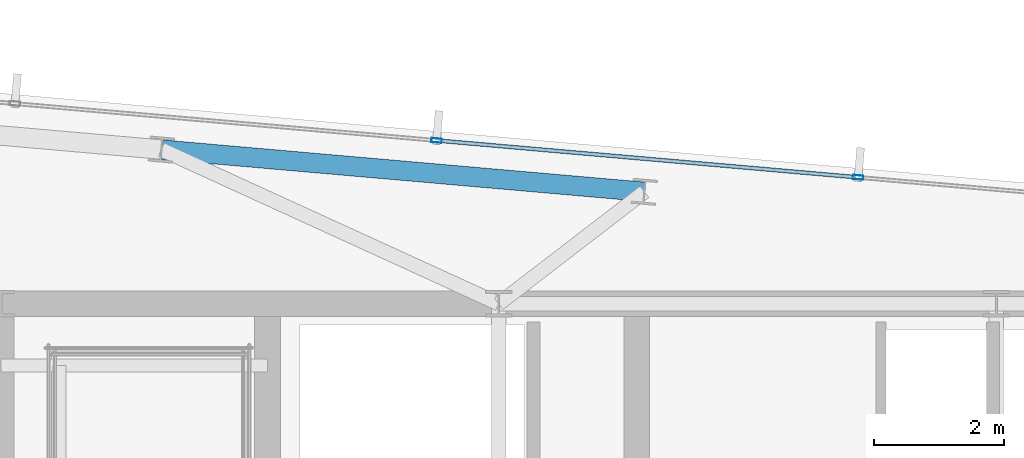
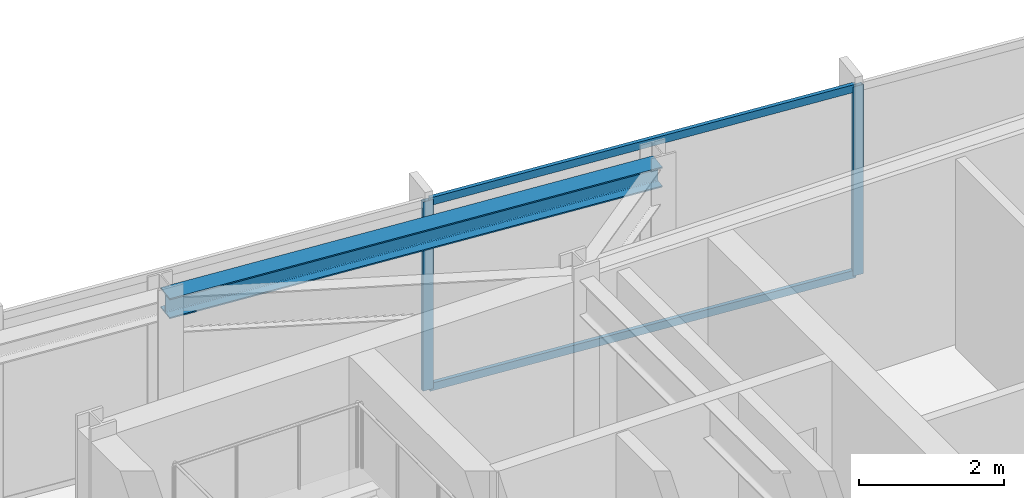
# One storey, part 25 of 32: 4 members, 1 beam, 1 element without a shape of its own.
"""IFC4 building model written with IfcOpenShell, lengths in metres."""

import ifcopenshell
import ifcopenshell.guid

model = None  # the IFC model being written
_history = None  # IfcOwnerHistory: only IFC2X3 demands one
_inside = {}  # id of a spatial element -> (the spatial element, [elements in it])
_under = {}  # id of a project, library or spatial element -> (it, [spatial elements below it])
_declared = {}  # id of a project -> (the project, [libraries it declares])
_typed = {}  # id of a type object -> (the type object, [elements of that type])
_made_of = {}  # id of a material, layer set ... -> (it, [elements and type objects made of it])


def new_model(schema):
    """Start an empty IFC model of exactly this schema.

    Asked for "IFC4X3", IfcOpenShell would pick the latest addendum, in which some entities
    have other attributes; the version numbers below select the first issue.
    IFC2X3 requires an IfcOwnerHistory on every rooted entity: one is made here for all.
    """
    global model, _history
    if schema == "IFC4X3":
        model = ifcopenshell.file(schema_version=(4, 3, 0, 0))
    else:
        model = ifcopenshell.file(schema=schema)
    _inside.clear()
    _under.clear()
    _declared.clear()
    _typed.clear()
    _made_of.clear()
    _history = None
    if model.schema == "IFC2X3":
        org = make("IfcOrganization", Name="unknown")
        user = make(
            "IfcPersonAndOrganization",
            ThePerson=make("IfcPerson", FamilyName="unknown"),
            TheOrganization=org,
        )
        app = make(
            "IfcApplication",
            ApplicationDeveloper=org,
            Version="unknown",
            ApplicationFullName="unknown",
            ApplicationIdentifier="unknown",
        )
        _history = make(
            "IfcOwnerHistory",
            OwningUser=user,
            OwningApplication=app,
            ChangeAction="ADDED",
            CreationDate=0,
        )
    return model


def make(cls, **values):
    """One entity of the class cls with the attributes given. An attribute that is None is left unset."""
    return model.create_entity(
        cls, **{name: value for name, value in values.items() if value is not None}
    )


def rooted(cls, **values):
    """An entity with a GlobalId (a new one), such as an element, a storey or a relation."""
    return make(cls, GlobalId=ifcopenshell.guid.new(), OwnerHistory=_history, **values)


def si_unit(unit_type, name, prefix=None):
    """IfcSIUnit, for example si_unit("LENGTHUNIT", "METRE", prefix="MILLI")."""
    return make("IfcSIUnit", UnitType=unit_type, Prefix=prefix, Name=name)


def assignment(units):
    """IfcUnitAssignment: the units of a project."""
    return None if units is None else make("IfcUnitAssignment", Units=units)


def point(xyz):
    """IfcCartesianPoint."""
    return None if xyz is None else make("IfcCartesianPoint", Coordinates=xyz)


def direction(xyz):
    """IfcDirection."""
    return None if xyz is None else make("IfcDirection", DirectionRatios=xyz)


def frame(location, z_axis=None, x_axis=None):
    """IfcAxis2Placement3D, a coordinate frame: its origin and axes. An axis left out is left unset."""
    return make(
        "IfcAxis2Placement3D",
        Location=point(location),
        Axis=direction(z_axis),
        RefDirection=direction(x_axis),
    )


def frame_2d(location, x_axis=None):
    """IfcAxis2Placement2D, a coordinate frame in the plane: its origin and x axis."""
    return make(
        "IfcAxis2Placement2D", Location=point(location), RefDirection=direction(x_axis)
    )


def origin():
    """The frame at (0, 0, 0) with its axes left unset."""
    return frame((0.0, 0.0, 0.0))


def origin_2d():
    """The frame at (0, 0) in the plane with its x axis left unset."""
    return frame_2d((0.0, 0.0))


def place(relative_to, where):
    """IfcLocalPlacement: puts the frame where relative to a parent placement (None: the world)."""
    return make(
        "IfcLocalPlacement", PlacementRelTo=relative_to, RelativePlacement=where
    )


def context(
    kind, dimensions, precision=None, world=None, true_north=None, identifier=None
):
    """IfcGeometricRepresentationContext, for example the 3D "Model" context."""
    return make(
        "IfcGeometricRepresentationContext",
        ContextIdentifier=identifier,
        ContextType=kind,
        CoordinateSpaceDimension=dimensions,
        Precision=precision,
        WorldCoordinateSystem=world,
        TrueNorth=true_north,
    )


def subcontext(parent, identifier, kind, view, scale=None):
    """IfcGeometricRepresentationSubContext, for example "Body" below "Model"."""
    return make(
        "IfcGeometricRepresentationSubContext",
        ContextIdentifier=identifier,
        ContextType=kind,
        ParentContext=parent,
        TargetScale=scale,
        TargetView=view,
    )


def project(units=None, contexts=None):
    """IfcProject with its units and contexts."""
    return rooted(
        "IfcProject",
        Name="project",
        RepresentationContexts=contexts,
        UnitsInContext=assignment(units),
    )


def spatial(cls, under=None, at=None, **own):
    """A site, building, storey or space (cls), placed at a placement, below another one or the project."""
    s = rooted(cls, ObjectPlacement=at, **own)
    if under is not None:
        _under.setdefault(under.id(), (under, []))[1].append(s)
    return s


def profile(cls, at=None, kind="AREA", **sizes):
    """A parametric profile (cls). Its sizes go by their IFC names, for example OverallWidth=200.0."""
    return make(cls, ProfileType=kind, Position=at, **sizes)


def hollow_rectangle(**sizes):
    """IfcRectangleHollowProfileDef."""
    return profile("IfcRectangleHollowProfileDef", **sizes)


def i_section(**sizes):
    """IfcIShapeProfileDef."""
    return profile("IfcIShapeProfileDef", **sizes)


def extrude(swept, where, along, depth):
    """IfcExtrudedAreaSolid: the profile swept, set in the frame where, extruded along a direction by depth."""
    return make(
        "IfcExtrudedAreaSolid",
        SweptArea=swept,
        Position=where,
        ExtrudedDirection=direction(along),
        Depth=depth,
    )


def shape(context_of_items, identifier, shape_type, items):
    """IfcShapeRepresentation: the items that make up one representation, for example the "Body"."""
    return make(
        "IfcShapeRepresentation",
        ContextOfItems=context_of_items,
        RepresentationIdentifier=identifier,
        RepresentationType=shape_type,
        Items=items,
    )


def material(Name=None, Category=None):
    """IfcMaterial."""
    return make("IfcMaterial", Name=Name, Category=Category)


def material_profile(
    of_material, cross_section, Name=None, Category=None, Priority=None
):
    """IfcMaterialProfile: a cross section and its material."""
    return make(
        "IfcMaterialProfile",
        Name=Name,
        Material=of_material,
        Profile=cross_section,
        Priority=Priority,
        Category=Category,
    )


def profile_set(profiles, Name=None, composite=None):
    """IfcMaterialProfileSet."""
    return make(
        "IfcMaterialProfileSet",
        Name=Name,
        MaterialProfiles=profiles,
        CompositeProfile=composite,
    )


def made_of(thing, what):
    """Note that an element or type object is made of a material, layer set ...; save() writes the relation."""
    if what is not None:
        _made_of.setdefault(what.id(), (what, []))[1].append(thing)
    return thing


def type_object(cls, material=None, **own):
    """A type object (cls), such as IfcWallType, which elements share."""
    return made_of(rooted(cls, **own), material)


def element(
    cls,
    number,
    at=None,
    inside=None,
    cuts=None,
    type_object=None,
    material=None,
    context=None,
    identifier="Body",
    shape_type=None,
    held_by="IfcProductDefinitionShape",
    body=None,
    shapes=None,
    **own,
):
    """One element of the class cls, such as IfcWall. Its Tag is "e" and its number.

    at: its placement. inside: the storey or other place that contains it. cuts: it is an
    opening in that element (IfcRelVoidsElement). A single representation is given by context,
    identifier, shape_type and body (its items); several are given by shapes. held_by: the class
    of the entity that holds the representations. save() writes the other relations.
    """
    e = rooted(cls, Tag="e%d" % number, ObjectPlacement=at, **own)
    if body is not None:
        shapes = [shape(context, identifier, shape_type, body)]
    if shapes is not None:
        e.Representation = make(held_by, Representations=shapes)
    if inside is not None:
        _inside.setdefault(inside.id(), (inside, []))[1].append(e)
    if cuts is not None:
        rooted(
            "IfcRelVoidsElement", RelatingBuildingElement=cuts, RelatedOpeningElement=e
        )
    if type_object is not None:
        _typed.setdefault(type_object.id(), (type_object, []))[1].append(e)
    return made_of(e, material)


def aggregate(whole, parts):
    """IfcRelAggregates: a whole, such as a stair, and the parts it consists of."""
    return rooted("IfcRelAggregates", RelatingObject=whole, RelatedObjects=parts)


def save(model, path):
    """Write the relations noted so far, then the file.

    IfcRelAggregates (storeys below a building ...), IfcRelContainedInSpatialStructure (elements
    in a storey), IfcRelDefinesByType, IfcRelAssociatesMaterial and IfcRelDeclares: one each for
    every whole, place, type object, material and project.
    """
    for whole, parts in _under.values():
        aggregate(whole, parts)
    for where, things in _inside.values():
        rooted(
            "IfcRelContainedInSpatialStructure",
            RelatedElements=things,
            RelatingStructure=where,
        )
    for kind, things in _typed.values():
        rooted("IfcRelDefinesByType", RelatedObjects=things, RelatingType=kind)
    for what, things in _made_of.values():
        rooted("IfcRelAssociatesMaterial", RelatedObjects=things, RelatingMaterial=what)
    for by, libraries in _declared.values():
        rooted("IfcRelDeclares", RelatingContext=by, RelatedDefinitions=libraries)
    model.write(path)


model = new_model("IFC4")

# Units and contexts
model_context = context("Model", 3, precision=1e-05, world=origin(), true_north=direction((0.0, 1.0)))
body_context = subcontext(model_context, "Body", "Model", "MODEL_VIEW")
ifc_project = project(units=[si_unit("LENGTHUNIT", "METRE"), si_unit("AREAUNIT", "SQUARE_METRE"), si_unit("VOLUMEUNIT", "CUBIC_METRE"), si_unit("PLANEANGLEUNIT", "RADIAN"), si_unit("MASSUNIT", "GRAM", prefix="KILO")], contexts=[model_context])

# Site, building, storey
site_placement = place(None, origin())
site = spatial("IfcSite", under=ifc_project, at=site_placement, CompositionType="ELEMENT")
building_placement = place(site_placement, origin())
building = spatial("IfcBuilding", under=site, at=building_placement, Name="Yelkora Congress Tower", CompositionType="ELEMENT")
storey_placement = place(building_placement, frame((0.0, 0.0, 293.10009765625)))
storey = spatial("IfcBuildingStorey", under=building, at=storey_placement, Name="L82", CompositionType="ELEMENT", Elevation=293.10009765625)

# Beam
ifc_material_1 = material(Name="Steel S355J2", Category="steel")
ifc_material_profile_1 = material_profile(ifc_material_1, i_section(OverallWidth=0.300048828125, OverallDepth=0.340087890625, WebThickness=0.011962890625, FlangeThickness=0.021484375, FilletRadius=0.027099609375, at=origin_2d()), Name="HEB 340")
ifc_profile_set_1 = profile_set([ifc_material_profile_1], Name="Steel S355J2")
beam_type = type_object("IfcBeamType", Name="BM-SPAN-HEB340", PredefinedType="SPANDREL", material=ifc_profile_set_1)
beam_placement = place(storey_placement, frame((32.968505859375, 47.927490234375, 3.010009765625), z_axis=(-0.996195771192, 0.087143476284, 0.0), x_axis=(-0.087143476284, -0.996195771192, 0.0)))
element("IfcBeam", 1, at=beam_placement, inside=storey, type_object=beam_type, Name="L82 Perimeter Beam 10", PredefinedType="SPANDREL", context=body_context, shape_type="SweptSolid", body=[
    extrude(i_section(OverallWidth=0.300048828125, OverallDepth=0.340087890625, WebThickness=0.011962890625, FlangeThickness=0.021484375, FilletRadius=0.027099609375, at=origin_2d()), origin(), (0.0, 0.0, 1.0), 7.483154296875),
])

# Curtain wall, members
ifc_material_2 = material(Name="Anodised aluminium and insulated glass", Category="aluminium")
curtain_wall_type = type_object("IfcCurtainWallType", Name="CW-SYS-B5", PredefinedType="NOTDEFINED", material=ifc_material_2)
curtain_wall_placement = place(storey_placement, origin())
curtain_wall = element("IfcCurtainWall", 2, at=curtain_wall_placement, inside=storey, type_object=curtain_wall_type, Name="L82 Unitised Curtain Wall 10", PredefinedType="NOTDEFINED")
ifc_material_3 = material(Name="Anodised aluminium 6063-T6", Category="aluminium")
ifc_material_profile_2 = material_profile(ifc_material_3, hollow_rectangle(XDim=0.06494140625, YDim=0.159912109375, WallThickness=0.00390625, at=origin_2d()), Name="ALU 65x160x4")
ifc_profile_set_2 = profile_set([ifc_material_profile_2], Name="Anodised aluminium 6063-T6")
member_type_1 = type_object("IfcMemberType", Name="MEM-ML-B5", PredefinedType="MULLION", material=ifc_profile_set_2)
member_1_placement = place(storey_placement, frame((29.759765625, 48.719970703125, 0.0), z_axis=(0.0, 0.0, 1.0), x_axis=(0.087156639893, 0.996194619601, 0.0)))
member_1 = element("IfcMember", 3, at=member_1_placement, type_object=member_type_1, Name="CW-B5 mullion 4", PredefinedType="MULLION", context=body_context, shape_type="SweptSolid", body=[
    extrude(hollow_rectangle(XDim=0.06494140625, YDim=0.159912109375, WallThickness=0.00390625, at=origin_2d()), origin(), (0.0, 0.0, 1.0), 3.179931640625),
])
member_2_placement = place(storey_placement, frame((36.266357421875, 48.15087890625, 0.0), z_axis=(0.0, 0.0, 1.0), x_axis=(0.087156639893, 0.996194619601, 0.0)))
member_2 = element("IfcMember", 4, at=member_2_placement, type_object=member_type_1, Name="CW-B5 mullion 5", PredefinedType="MULLION", context=body_context, shape_type="SweptSolid", body=[
    extrude(hollow_rectangle(XDim=0.06494140625, YDim=0.159912109375, WallThickness=0.00390625, at=origin_2d()), origin(), (0.0, 0.0, 1.0), 3.179931640625),
])
ifc_material_profile_3 = material_profile(ifc_material_3, hollow_rectangle(XDim=0.06005859375, YDim=0.1298828125, WallThickness=0.00390625, at=origin_2d()), Name="ALU 60x130x4")
ifc_profile_set_3 = profile_set([ifc_material_profile_3], Name="Anodised aluminium 6063-T6")
member_type_2 = type_object("IfcMemberType", Name="MEM-TR-B5", PredefinedType="USERDEFINED", material=ifc_profile_set_3)
member_3_placement = place(storey_placement, frame((29.7919921875, 48.71728515625, 0.02978515625), z_axis=(0.996192979814, -0.08717538052, 0.0), x_axis=(0.08717538052, 0.996192979814, 0.0)))
member_3 = element("IfcMember", 5, at=member_3_placement, type_object=member_type_2, Name="CW-B5 transom 4.1", ObjectType="TRANSOM", PredefinedType="USERDEFINED", context=body_context, shape_type="SweptSolid", body=[
    extrude(hollow_rectangle(XDim=0.06005859375, YDim=0.1298828125, WallThickness=0.00390625, at=origin_2d()), origin(), (0.0, 0.0, 1.0), 6.466552734375),
])
member_4_placement = place(storey_placement, frame((29.7919921875, 48.71728515625, 3.14990234375), z_axis=(0.996192979814, -0.08717538052, 0.0), x_axis=(0.08717538052, 0.996192979814, 0.0)))
member_4 = element("IfcMember", 6, at=member_4_placement, type_object=member_type_2, Name="CW-B5 transom 4.2", ObjectType="TRANSOM", PredefinedType="USERDEFINED", context=body_context, shape_type="SweptSolid", body=[
    extrude(hollow_rectangle(XDim=0.06005859375, YDim=0.1298828125, WallThickness=0.00390625, at=origin_2d()), origin(), (0.0, 0.0, 1.0), 6.466552734375),
])
aggregate(curtain_wall, [member_1, member_2, member_3, member_4])

save(model, "model.ifc")
